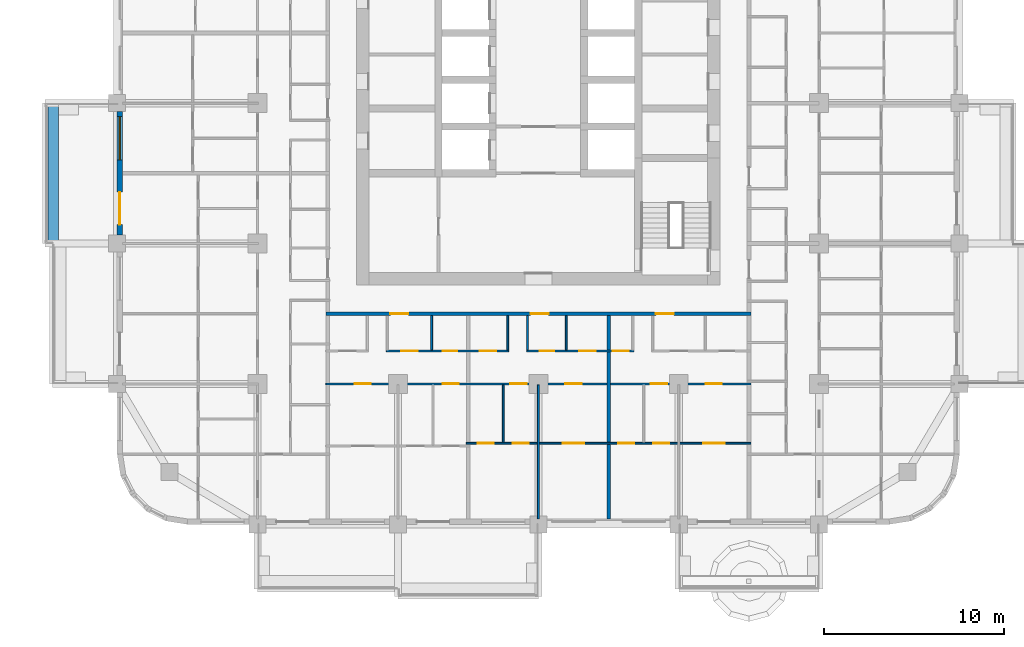
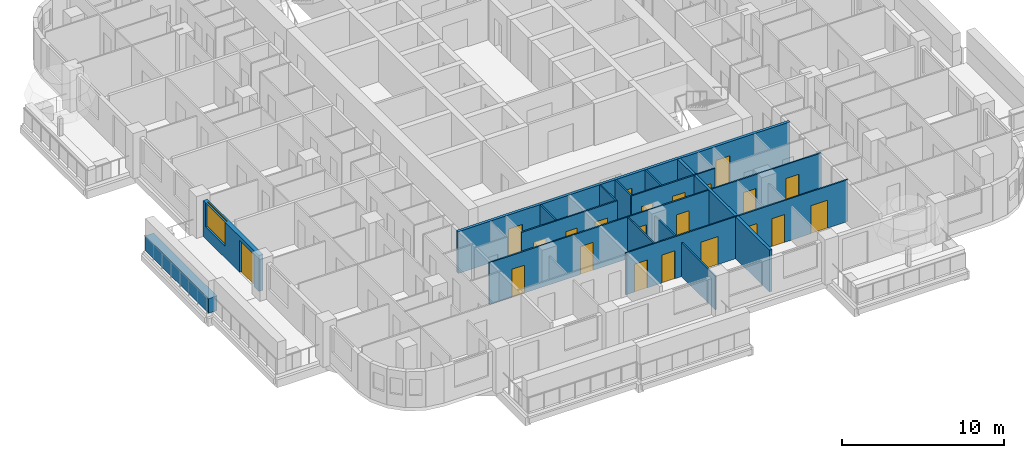
# One storey, part 4 of 19: 22 doors, 14 walls, 1 window, 23 openings.
"""IFC4 building model written with IfcOpenShell, lengths in metres."""

from ifc_helpers import new_model, si_unit, direction, frame, frame_2d, origin, place, context, subcontext, project, spatial, rectangle, extrude, material, layer, layer_set, type_object, element, fill, save


model = new_model("IFC4")

# Units and contexts
model_context = context("Model", 3, precision=1e-05, world=origin(), true_north=direction((0.0, 1.0)))
body_context = subcontext(model_context, "Body", "Model", "MODEL_VIEW")
ifc_project = project(units=[si_unit("LENGTHUNIT", "METRE"), si_unit("AREAUNIT", "SQUARE_METRE"), si_unit("VOLUMEUNIT", "CUBIC_METRE"), si_unit("PLANEANGLEUNIT", "RADIAN"), si_unit("MASSUNIT", "GRAM", prefix="KILO")], contexts=[model_context])

# Site, building, storey
site_placement = place(None, origin())
site = spatial("IfcSite", under=ifc_project, at=site_placement, CompositionType="ELEMENT")
building_placement = place(site_placement, origin())
building = spatial("IfcBuilding", under=site, at=building_placement, Name="Ludao Terraces", CompositionType="ELEMENT")
storey_placement = place(building_placement, frame((0.0, 0.0, 68.199951171875)))
storey = spatial("IfcBuildingStorey", under=building, at=storey_placement, Name="L18", CompositionType="ELEMENT", Elevation=68.199951171875)

# Wall
ifc_material_1 = material(Name="Concrete C40", Category="concrete")
ifc_layer_1 = layer(ifc_material_1, 0.60009765625)
ifc_layer_set_1 = layer_set([ifc_layer_1], Name="ENV Planter trough 600")
wall_type_1 = type_object("IfcWallType", Name="ENV Planter trough 600", PredefinedType="USERDEFINED", material=ifc_layer_set_1)
wall_1_placement = place(storey_placement, frame((58.050048828125, 57.199951171875, 0.0), z_axis=(0.0, 0.0, 1.0), x_axis=(0.0, 1.0, 0.0)))
element("IfcWall", 1, at=wall_1_placement, inside=storey, type_object=wall_type_1, Name="PL-L18-W2", ObjectType="PLANTER", PredefinedType="USERDEFINED", context=body_context, shape_type="SweptSolid", body=[
    extrude(rectangle(XDim=7.800048828125, YDim=0.60009765625, at=frame_2d((3.89990234375, 0.0))), origin(), (0.0, 0.0, 1.0), 1.10009765625),
])

# Wall, openings, door, window
ifc_material_2 = material(Name="Granite cladding", Category="masonry")
ifc_layer_2 = layer(ifc_material_2, 0.0400390625, Category="stone")
ifc_material_3 = material(Name="Mineral wool")
ifc_layer_3 = layer(ifc_material_3, 0.06005859375)
ifc_layer_4 = layer(ifc_material_1, 0.199951171875, Category="concrete")
ifc_layer_set_2 = layer_set([ifc_layer_2, ifc_layer_3, ifc_layer_4], Name="ENV Stone-clad wall 300")
wall_type_2 = type_object("IfcWallType", Name="ENV Stone-clad wall 300", PredefinedType="SOLIDWALL", material=ifc_layer_set_2)
wall_2_placement = place(storey_placement, frame((61.75, 57.675048828125, 0.0), z_axis=(0.0, 0.0, 1.0), x_axis=(0.0, 1.0, 0.0)))
wall_2 = element("IfcWall", 2, at=wall_2_placement, inside=storey, type_object=wall_type_2, Name="EW-L18-W3", PredefinedType="SOLIDWALL", context=body_context, shape_type="SweptSolid", body=[
    extrude(rectangle(XDim=6.849853515625, YDim=0.300048828125, at=frame_2d((3.4248046875, 0.0))), origin(), (0.0, 0.0, 1.0), 2.699951171875),
])
opening_1_placement = place(wall_2_placement, frame((0.574951171875, 0.0, 0.0)))
opening_1 = element("IfcOpeningElement", 3, at=opening_1_placement, cuts=wall_2, Name="Opening BD", PredefinedType="OPENING", context=body_context, shape_type="SweptSolid", body=[
    extrude(rectangle(XDim=1.800048828125, YDim=2.39990234375, at=frame_2d((0.89990234375, 1.199951171875))), frame((0.0, 0.16015625, 0.0), z_axis=(0.0, -1.0, 0.0), x_axis=(1.0, 0.0, 0.0)), (0.0, 0.0, 1.0), 0.320068359375),
])
opening_2_placement = place(wall_2_placement, frame((4.175048828125, 0.0, 0.89990234375)))
opening_2 = element("IfcOpeningElement", 4, at=opening_2_placement, cuts=wall_2, Name="Opening W1", PredefinedType="OPENING", context=body_context, shape_type="SweptSolid", body=[
    extrude(rectangle(XDim=2.39990234375, YDim=1.800048828125, at=frame_2d((1.199951171875, 0.89990234375))), frame((0.0, 0.16015625, 0.0), z_axis=(0.0, -1.0, 0.0), x_axis=(1.0, 0.0, 0.0)), (0.0, 0.0, 1.0), 0.320068359375),
])
ifc_material_4 = material(Name="Aluminium glazed door", Category="aluminium")
ifc_layer_5 = layer(ifc_material_4, 0.06005859375)
ifc_layer_set_3 = layer_set([ifc_layer_5], Name="ENV Balcony door BD 1800x2400")
door_type_1 = type_object("IfcDoorType", Name="ENV Balcony door BD 1800x2400", OperationType="DOUBLE_DOOR_SINGLE_SWING", PredefinedType="DOOR", material=ifc_layer_set_3)
door_1_placement = place(opening_1_placement, origin())
door_1 = element("IfcDoor", 5, at=door_1_placement, inside=storey, type_object=door_type_1, Name="BD-L18-W3-1", OperationType="DOUBLE_DOOR_SINGLE_SWING", OverallHeight=2.39990234375, OverallWidth=1.800048828125, PredefinedType="DOOR", context=body_context, shape_type="SweptSolid", body=[
    extrude(rectangle(XDim=1.800048828125, YDim=2.39990234375, at=frame_2d((0.89990234375, 1.199951171875))), frame((0.0, 0.02490234375, 0.0), z_axis=(0.0, -1.0, 0.0), x_axis=(1.0, 0.0, 0.0)), (0.0, 0.0, 1.0), 0.050048828125),
])
fill(opening_1, door_1)
ifc_material_5 = material(Name="Clear glass in aluminium frame", Category="aluminium")
ifc_layer_6 = layer(ifc_material_5, 0.06005859375)
ifc_layer_set_4 = layer_set([ifc_layer_6], Name="ENV Window W1 2400x1800")
window_type = type_object("IfcWindowType", Name="ENV Window W1 2400x1800", PartitioningType="DOUBLE_PANEL_VERTICAL", PredefinedType="WINDOW", material=ifc_layer_set_4)
window_placement = place(opening_2_placement, origin())
window = element("IfcWindow", 6, at=window_placement, inside=storey, type_object=window_type, Name="W-L18-W3-2", OverallHeight=1.800048828125, OverallWidth=2.39990234375, PartitioningType="DOUBLE_PANEL_VERTICAL", PredefinedType="WINDOW", context=body_context, shape_type="SweptSolid", body=[
    extrude(rectangle(XDim=2.39990234375, YDim=1.800048828125, at=frame_2d((1.199951171875, 0.89990234375))), frame((0.0, 0.030029296875, 0.0), z_axis=(0.0, -1.0, 0.0), x_axis=(1.0, 0.0, 0.0)), (0.0, 0.0, 1.0), 0.06005859375),
])
fill(opening_2, window)

# Wall, openings, doors
ifc_material_6 = material(Name="Autoclaved aerated concrete block B06 A3.5", Category="concrete")
ifc_layer_7 = layer(ifc_material_6, 0.199951171875)
ifc_layer_set_5 = layer_set([ifc_layer_7], Name="INT Entrance wall 200")
wall_type_3 = type_object("IfcWallType", Name="INT Entrance wall 200", PredefinedType="PARTITIONING", material=ifc_layer_set_5)
wall_3_placement = place(storey_placement, frame((73.2001953125, 53.300048828125, 0.0), z_axis=(0.0, 0.0, 1.0), x_axis=(1.0, 0.0, 0.0)))
wall_3 = element("IfcWall", 7, at=wall_3_placement, inside=storey, type_object=wall_type_3, Name="PW-L18-PW019", PredefinedType="PARTITIONING", context=body_context, shape_type="SweptSolid", body=[
    extrude(rectangle(XDim=23.599853515625, YDim=0.199951171875, at=frame_2d((11.7998046875, 0.0))), origin(), (0.0, 0.0, 1.0), 3.150146484375),
])
opening_3_placement = place(wall_3_placement, frame((3.574951171875, 0.0, 0.0)))
opening_3 = element("IfcOpeningElement", 8, at=opening_3_placement, cuts=wall_3, Name="Opening R05-048", PredefinedType="OPENING", context=body_context, shape_type="SweptSolid", body=[
    extrude(rectangle(XDim=1.0, YDim=2.10009765625, at=frame_2d((0.5, 1.050048828125))), frame((0.0, 0.10986328125, 0.0), z_axis=(0.0, -1.0, 0.0), x_axis=(1.0, 0.0, 0.0)), (0.0, 0.0, 1.0), 0.219970703125),
])
opening_4_placement = place(wall_3_placement, frame((11.375, 0.0, 0.0)))
opening_4 = element("IfcOpeningElement", 9, at=opening_4_placement, cuts=wall_3, Name="Opening R05-049", PredefinedType="OPENING", context=body_context, shape_type="SweptSolid", body=[
    extrude(rectangle(XDim=1.0, YDim=2.10009765625, at=frame_2d((0.5, 1.050048828125))), frame((0.0, 0.10986328125, 0.0), z_axis=(0.0, -1.0, 0.0), x_axis=(1.0, 0.0, 0.0)), (0.0, 0.0, 1.0), 0.219970703125),
])
opening_5_placement = place(wall_3_placement, frame((18.324951171875, 0.0, 0.0)))
opening_5 = element("IfcOpeningElement", 10, at=opening_5_placement, cuts=wall_3, Name="Opening R05-050", PredefinedType="OPENING", context=body_context, shape_type="SweptSolid", body=[
    extrude(rectangle(XDim=1.0, YDim=2.10009765625, at=frame_2d((0.5, 1.050048828125))), frame((0.0, 0.10986328125, 0.0), z_axis=(0.0, -1.0, 0.0), x_axis=(1.0, 0.0, 0.0)), (0.0, 0.0, 1.0), 0.219970703125),
])
ifc_material_7 = material(Name="Steel Q235", Category="steel")
door_type_2 = type_object("IfcDoorType", Name="INT Flat entrance door 1000", OperationType="SINGLE_SWING_LEFT", PredefinedType="DOOR", material=ifc_material_7)
door_2_placement = place(opening_3_placement, origin())
door_2 = element("IfcDoor", 11, at=door_2_placement, inside=storey, type_object=door_type_2, Name="DOOR 048", OperationType="SINGLE_SWING_LEFT", OverallHeight=2.10009765625, OverallWidth=1.0, PredefinedType="DOOR", context=body_context, shape_type="SweptSolid", body=[
    extrude(rectangle(XDim=1.0, YDim=2.10009765625, at=frame_2d((0.5, 1.050048828125))), frame((0.0, 0.02490234375, 0.0), z_axis=(0.0, -1.0, 0.0), x_axis=(1.0, 0.0, 0.0)), (0.0, 0.0, 1.0), 0.050048828125),
])
fill(opening_3, door_2)
door_3_placement = place(opening_4_placement, origin())
door_3 = element("IfcDoor", 12, at=door_3_placement, inside=storey, type_object=door_type_2, Name="DOOR 049", OperationType="SINGLE_SWING_LEFT", OverallHeight=2.10009765625, OverallWidth=1.0, PredefinedType="DOOR", context=body_context, shape_type="SweptSolid", body=[
    extrude(rectangle(XDim=1.0, YDim=2.10009765625, at=frame_2d((0.5, 1.050048828125))), frame((0.0, 0.02490234375, 0.0), z_axis=(0.0, -1.0, 0.0), x_axis=(1.0, 0.0, 0.0)), (0.0, 0.0, 1.0), 0.050048828125),
])
fill(opening_4, door_3)
door_4_placement = place(opening_5_placement, origin())
door_4 = element("IfcDoor", 13, at=door_4_placement, inside=storey, type_object=door_type_2, Name="DOOR 050", OperationType="SINGLE_SWING_LEFT", OverallHeight=2.10009765625, OverallWidth=1.0, PredefinedType="DOOR", context=body_context, shape_type="SweptSolid", body=[
    extrude(rectangle(XDim=1.0, YDim=2.10009765625, at=frame_2d((0.5, 1.050048828125))), frame((0.0, 0.02490234375, 0.0), z_axis=(0.0, -1.0, 0.0), x_axis=(1.0, 0.0, 0.0)), (0.0, 0.0, 1.0), 0.050048828125),
])
fill(opening_5, door_4)

ifc_material_8 = material(Name="Gypsum plasterboard", Category="gypsum")
ifc_layer_8 = layer(ifc_material_8, 0.012451171875, Category="gypsum")
ifc_layer_9 = layer(ifc_material_3, 0.06005859375, Name="insulation")
ifc_layer_10 = layer(ifc_material_7, 0.014892578125, Name="stud")
ifc_layer_11 = layer(ifc_material_8, 0.012451171875, Category="gypsum")
ifc_layer_set_6 = layer_set([ifc_layer_8, ifc_layer_9, ifc_layer_10, ifc_layer_11], Name="INT Partition 100")
wall_type_4 = type_object("IfcWallType", Name="INT Partition 100", PredefinedType="PARTITIONING", material=ifc_layer_set_6)
wall_4_placement = place(storey_placement, frame((81.0, 46.10009765625, 0.0), z_axis=(0.0, 0.0, 1.0), x_axis=(1.0, 0.0, 0.0)))
wall_4 = element("IfcWall", 14, at=wall_4_placement, inside=storey, type_object=wall_type_4, Name="PW-L18-PW003", PredefinedType="PARTITIONING", context=body_context, shape_type="SweptSolid", body=[
    extrude(rectangle(XDim=15.800048828125, YDim=0.10009765625, at=frame_2d((7.89990234375, 0.0))), origin(), (0.0, 0.0, 1.0), 3.150146484375),
])
opening_6_placement = place(wall_4_placement, frame((0.625, 0.0, 0.0)))
opening_6 = element("IfcOpeningElement", 15, at=opening_6_placement, cuts=wall_4, Name="Opening R05-010", PredefinedType="OPENING", context=body_context, shape_type="SweptSolid", body=[
    extrude(rectangle(XDim=0.89990234375, YDim=2.10009765625, at=frame_2d((0.449951171875, 1.050048828125))), frame((0.0, 0.06005859375, 0.0), z_axis=(0.0, -1.0, 0.0), x_axis=(1.0, 0.0, 0.0)), (0.0, 0.0, 1.0), 0.1201171875),
])
opening_7_placement = place(wall_4_placement, frame((2.5751953125, 0.0, 0.0)))
opening_7 = element("IfcOpeningElement", 16, at=opening_7_placement, cuts=wall_4, Name="Opening R05-011", PredefinedType="OPENING", context=body_context, shape_type="SweptSolid", body=[
    extrude(rectangle(XDim=0.89990234375, YDim=2.10009765625, at=frame_2d((0.449951171875, 1.050048828125))), frame((0.0, 0.06005859375, 0.0), z_axis=(0.0, -1.0, 0.0), x_axis=(1.0, 0.0, 0.0)), (0.0, 0.0, 1.0), 0.1201171875),
])
opening_8_placement = place(wall_4_placement, frame((5.35009765625, 0.0, 0.0)))
opening_8 = element("IfcOpeningElement", 17, at=opening_8_placement, cuts=wall_4, Name="Opening R05-012", PredefinedType="OPENING", context=body_context, shape_type="SweptSolid", body=[
    extrude(rectangle(XDim=1.199951171875, YDim=2.10009765625, at=frame_2d((0.60009765625, 1.050048828125))), frame((0.0, 0.06005859375, 0.0), z_axis=(0.0, -1.0, 0.0), x_axis=(1.0, 0.0, 0.0)), (0.0, 0.0, 1.0), 0.1201171875),
])
opening_9_placement = place(wall_4_placement, frame((8.425048828125, 0.0, 0.0)))
opening_9 = element("IfcOpeningElement", 18, at=opening_9_placement, cuts=wall_4, Name="Opening R05-013", PredefinedType="OPENING", context=body_context, shape_type="SweptSolid", body=[
    extrude(rectangle(XDim=0.89990234375, YDim=2.10009765625, at=frame_2d((0.449951171875, 1.050048828125))), frame((0.0, 0.06005859375, 0.0), z_axis=(0.0, -1.0, 0.0), x_axis=(1.0, 0.0, 0.0)), (0.0, 0.0, 1.0), 0.1201171875),
])
opening_10_placement = place(wall_4_placement, frame((10.375, 0.0, 0.0)))
opening_10 = element("IfcOpeningElement", 19, at=opening_10_placement, cuts=wall_4, Name="Opening R05-014", PredefinedType="OPENING", context=body_context, shape_type="SweptSolid", body=[
    extrude(rectangle(XDim=0.89990234375, YDim=2.10009765625, at=frame_2d((0.449951171875, 1.050048828125))), frame((0.0, 0.06005859375, 0.0), z_axis=(0.0, -1.0, 0.0), x_axis=(1.0, 0.0, 0.0)), (0.0, 0.0, 1.0), 0.1201171875),
])
opening_11_placement = place(wall_4_placement, frame((13.150146484375, 0.0, 0.0)))
opening_11 = element("IfcOpeningElement", 20, at=opening_11_placement, cuts=wall_4, Name="Opening R05-015", PredefinedType="OPENING", context=body_context, shape_type="SweptSolid", body=[
    extrude(rectangle(XDim=1.199951171875, YDim=2.10009765625, at=frame_2d((0.60009765625, 1.050048828125))), frame((0.0, 0.06005859375, 0.0), z_axis=(0.0, -1.0, 0.0), x_axis=(1.0, 0.0, 0.0)), (0.0, 0.0, 1.0), 0.1201171875),
])
ifc_material_9 = material(Name="Timber door leaf", Category="wood")
door_type_3 = type_object("IfcDoorType", Name="INT Bathroom door 900", OperationType="SINGLE_SWING_LEFT", PredefinedType="DOOR", material=ifc_material_9)
door_5_placement = place(opening_6_placement, origin())
door_5 = element("IfcDoor", 21, at=door_5_placement, inside=storey, type_object=door_type_3, Name="DOOR 010", OperationType="SINGLE_SWING_LEFT", OverallHeight=2.10009765625, OverallWidth=0.89990234375, PredefinedType="DOOR", context=body_context, shape_type="SweptSolid", body=[
    extrude(rectangle(XDim=0.89990234375, YDim=2.10009765625, at=frame_2d((0.449951171875, 1.050048828125))), frame((0.0, 0.02490234375, 0.0), z_axis=(0.0, -1.0, 0.0), x_axis=(1.0, 0.0, 0.0)), (0.0, 0.0, 1.0), 0.050048828125),
])
fill(opening_6, door_5)
door_6_placement = place(opening_9_placement, origin())
door_6 = element("IfcDoor", 22, at=door_6_placement, inside=storey, type_object=door_type_3, Name="DOOR 013", OperationType="SINGLE_SWING_LEFT", OverallHeight=2.10009765625, OverallWidth=0.89990234375, PredefinedType="DOOR", context=body_context, shape_type="SweptSolid", body=[
    extrude(rectangle(XDim=0.89990234375, YDim=2.10009765625, at=frame_2d((0.449951171875, 1.050048828125))), frame((0.0, 0.02490234375, 0.0), z_axis=(0.0, -1.0, 0.0), x_axis=(1.0, 0.0, 0.0)), (0.0, 0.0, 1.0), 0.050048828125),
])
fill(opening_9, door_6)
door_type_4 = type_object("IfcDoorType", Name="INT Double door 1200", OperationType="DOUBLE_DOOR_SINGLE_SWING", PredefinedType="DOOR", material=ifc_material_9)
door_7_placement = place(opening_8_placement, origin())
door_7 = element("IfcDoor", 23, at=door_7_placement, inside=storey, type_object=door_type_4, Name="DOOR 012", OperationType="DOUBLE_DOOR_SINGLE_SWING", OverallHeight=2.10009765625, OverallWidth=1.199951171875, PredefinedType="DOOR", context=body_context, shape_type="SweptSolid", body=[
    extrude(rectangle(XDim=1.199951171875, YDim=2.10009765625, at=frame_2d((0.60009765625, 1.050048828125))), frame((0.0, 0.02490234375, 0.0), z_axis=(0.0, -1.0, 0.0), x_axis=(1.0, 0.0, 0.0)), (0.0, 0.0, 1.0), 0.050048828125),
])
fill(opening_8, door_7)
door_8_placement = place(opening_11_placement, origin())
door_8 = element("IfcDoor", 24, at=door_8_placement, inside=storey, type_object=door_type_4, Name="DOOR 015", OperationType="DOUBLE_DOOR_SINGLE_SWING", OverallHeight=2.10009765625, OverallWidth=1.199951171875, PredefinedType="DOOR", context=body_context, shape_type="SweptSolid", body=[
    extrude(rectangle(XDim=1.199951171875, YDim=2.10009765625, at=frame_2d((0.60009765625, 1.050048828125))), frame((0.0, 0.02490234375, 0.0), z_axis=(0.0, -1.0, 0.0), x_axis=(1.0, 0.0, 0.0)), (0.0, 0.0, 1.0), 0.050048828125),
])
fill(opening_11, door_8)
door_type_5 = type_object("IfcDoorType", Name="INT Room door 900", OperationType="SINGLE_SWING_LEFT", PredefinedType="DOOR", material=ifc_material_9)
door_9_placement = place(opening_7_placement, origin())
door_9 = element("IfcDoor", 25, at=door_9_placement, inside=storey, type_object=door_type_5, Name="DOOR 011", OperationType="SINGLE_SWING_LEFT", OverallHeight=2.10009765625, OverallWidth=0.89990234375, PredefinedType="DOOR", context=body_context, shape_type="SweptSolid", body=[
    extrude(rectangle(XDim=0.89990234375, YDim=2.10009765625, at=frame_2d((0.449951171875, 1.050048828125))), frame((0.0, 0.02490234375, 0.0), z_axis=(0.0, -1.0, 0.0), x_axis=(1.0, 0.0, 0.0)), (0.0, 0.0, 1.0), 0.050048828125),
])
fill(opening_7, door_9)
door_10_placement = place(opening_10_placement, origin())
door_10 = element("IfcDoor", 26, at=door_10_placement, inside=storey, type_object=door_type_5, Name="DOOR 014", OperationType="SINGLE_SWING_RIGHT", OverallHeight=2.10009765625, OverallWidth=0.89990234375, PredefinedType="DOOR", context=body_context, shape_type="SweptSolid", body=[
    extrude(rectangle(XDim=0.89990234375, YDim=2.10009765625, at=frame_2d((0.449951171875, 1.050048828125))), frame((0.0, 0.02490234375, 0.0), z_axis=(0.0, -1.0, 0.0), x_axis=(1.0, 0.0, 0.0)), (0.0, 0.0, 1.0), 0.050048828125),
])
fill(opening_10, door_10)

wall_5_placement = place(storey_placement, frame((73.2001953125, 49.39990234375, 0.0), z_axis=(0.0, 0.0, 1.0), x_axis=(1.0, 0.0, 0.0)))
wall_5 = element("IfcWall", 27, at=wall_5_placement, inside=storey, type_object=wall_type_4, Name="PW-L18-PW008", PredefinedType="PARTITIONING", context=body_context, shape_type="SweptSolid", body=[
    extrude(rectangle(XDim=23.599853515625, YDim=0.10009765625, at=frame_2d((11.7998046875, 0.0))), origin(), (0.0, 0.0, 1.0), 3.150146484375),
])
opening_12_placement = place(wall_5_placement, frame((1.599853515625, 0.0, 0.0)))
opening_12 = element("IfcOpeningElement", 28, at=opening_12_placement, cuts=wall_5, Name="Opening R05-024", PredefinedType="OPENING", context=body_context, shape_type="SweptSolid", body=[
    extrude(rectangle(XDim=0.89990234375, YDim=2.10009765625, at=frame_2d((0.449951171875, 1.050048828125))), frame((0.0, 0.06005859375, 0.0), z_axis=(0.0, -1.0, 0.0), x_axis=(1.0, 0.0, 0.0)), (0.0, 0.0, 1.0), 0.1201171875),
])
opening_13_placement = place(wall_5_placement, frame((6.474853515625, 0.0, 0.0)))
opening_13 = element("IfcOpeningElement", 29, at=opening_13_placement, cuts=wall_5, Name="Opening R05-025", PredefinedType="OPENING", context=body_context, shape_type="SweptSolid", body=[
    extrude(rectangle(XDim=0.89990234375, YDim=2.10009765625, at=frame_2d((0.449951171875, 1.050048828125))), frame((0.0, 0.06005859375, 0.0), z_axis=(0.0, -1.0, 0.0), x_axis=(1.0, 0.0, 0.0)), (0.0, 0.0, 1.0), 0.1201171875),
])
opening_14_placement = place(wall_5_placement, frame((10.25, 0.0, 0.0)))
opening_14 = element("IfcOpeningElement", 30, at=opening_14_placement, cuts=wall_5, Name="Opening R05-026", PredefinedType="OPENING", context=body_context, shape_type="SweptSolid", body=[
    extrude(rectangle(XDim=0.89990234375, YDim=2.10009765625, at=frame_2d((0.449951171875, 1.050048828125))), frame((0.0, 0.06005859375, 0.0), z_axis=(0.0, -1.0, 0.0), x_axis=(1.0, 0.0, 0.0)), (0.0, 0.0, 1.0), 0.1201171875),
])
opening_15_placement = place(wall_5_placement, frame((13.2998046875, 0.0, 0.0)))
opening_15 = element("IfcOpeningElement", 31, at=opening_15_placement, cuts=wall_5, Name="Opening R05-027", PredefinedType="OPENING", context=body_context, shape_type="SweptSolid", body=[
    extrude(rectangle(XDim=0.89990234375, YDim=2.10009765625, at=frame_2d((0.449951171875, 1.050048828125))), frame((0.0, 0.06005859375, 0.0), z_axis=(0.0, -1.0, 0.0), x_axis=(1.0, 0.0, 0.0)), (0.0, 0.0, 1.0), 0.1201171875),
])
opening_16_placement = place(wall_5_placement, frame((18.0498046875, 0.0, 0.0)))
opening_16 = element("IfcOpeningElement", 32, at=opening_16_placement, cuts=wall_5, Name="Opening R05-028", PredefinedType="OPENING", context=body_context, shape_type="SweptSolid", body=[
    extrude(rectangle(XDim=0.89990234375, YDim=2.10009765625, at=frame_2d((0.449951171875, 1.050048828125))), frame((0.0, 0.06005859375, 0.0), z_axis=(0.0, -1.0, 0.0), x_axis=(1.0, 0.0, 0.0)), (0.0, 0.0, 1.0), 0.1201171875),
])
opening_17_placement = place(wall_5_placement, frame((21.099853515625, 0.0, 0.0)))
opening_17 = element("IfcOpeningElement", 33, at=opening_17_placement, cuts=wall_5, Name="Opening R05-029", PredefinedType="OPENING", context=body_context, shape_type="SweptSolid", body=[
    extrude(rectangle(XDim=0.89990234375, YDim=2.10009765625, at=frame_2d((0.449951171875, 1.050048828125))), frame((0.0, 0.06005859375, 0.0), z_axis=(0.0, -1.0, 0.0), x_axis=(1.0, 0.0, 0.0)), (0.0, 0.0, 1.0), 0.1201171875),
])
door_11_placement = place(opening_12_placement, origin())
door_11 = element("IfcDoor", 34, at=door_11_placement, inside=storey, type_object=door_type_5, Name="DOOR 024", OperationType="SINGLE_SWING_LEFT", OverallHeight=2.10009765625, OverallWidth=0.89990234375, PredefinedType="DOOR", context=body_context, shape_type="SweptSolid", body=[
    extrude(rectangle(XDim=0.89990234375, YDim=2.10009765625, at=frame_2d((0.449951171875, 1.050048828125))), frame((0.0, 0.02490234375, 0.0), z_axis=(0.0, -1.0, 0.0), x_axis=(1.0, 0.0, 0.0)), (0.0, 0.0, 1.0), 0.050048828125),
])
fill(opening_12, door_11)
door_12_placement = place(opening_13_placement, origin())
door_12 = element("IfcDoor", 35, at=door_12_placement, inside=storey, type_object=door_type_5, Name="DOOR 025", OperationType="SINGLE_SWING_RIGHT", OverallHeight=2.10009765625, OverallWidth=0.89990234375, PredefinedType="DOOR", context=body_context, shape_type="SweptSolid", body=[
    extrude(rectangle(XDim=0.89990234375, YDim=2.10009765625, at=frame_2d((0.449951171875, 1.050048828125))), frame((0.0, 0.02490234375, 0.0), z_axis=(0.0, -1.0, 0.0), x_axis=(1.0, 0.0, 0.0)), (0.0, 0.0, 1.0), 0.050048828125),
])
fill(opening_13, door_12)
door_13_placement = place(opening_14_placement, origin())
door_13 = element("IfcDoor", 36, at=door_13_placement, inside=storey, type_object=door_type_5, Name="DOOR 026", OperationType="SINGLE_SWING_RIGHT", OverallHeight=2.10009765625, OverallWidth=0.89990234375, PredefinedType="DOOR", context=body_context, shape_type="SweptSolid", body=[
    extrude(rectangle(XDim=0.89990234375, YDim=2.10009765625, at=frame_2d((0.449951171875, 1.050048828125))), frame((0.0, 0.02490234375, 0.0), z_axis=(0.0, -1.0, 0.0), x_axis=(1.0, 0.0, 0.0)), (0.0, 0.0, 1.0), 0.050048828125),
])
fill(opening_14, door_13)
door_14_placement = place(opening_15_placement, origin())
door_14 = element("IfcDoor", 37, at=door_14_placement, inside=storey, type_object=door_type_5, Name="DOOR 027", OperationType="SINGLE_SWING_LEFT", OverallHeight=2.10009765625, OverallWidth=0.89990234375, PredefinedType="DOOR", context=body_context, shape_type="SweptSolid", body=[
    extrude(rectangle(XDim=0.89990234375, YDim=2.10009765625, at=frame_2d((0.449951171875, 1.050048828125))), frame((0.0, 0.02490234375, 0.0), z_axis=(0.0, -1.0, 0.0), x_axis=(1.0, 0.0, 0.0)), (0.0, 0.0, 1.0), 0.050048828125),
])
fill(opening_15, door_14)
door_15_placement = place(opening_16_placement, origin())
door_15 = element("IfcDoor", 38, at=door_15_placement, inside=storey, type_object=door_type_5, Name="DOOR 028", OperationType="SINGLE_SWING_RIGHT", OverallHeight=2.10009765625, OverallWidth=0.89990234375, PredefinedType="DOOR", context=body_context, shape_type="SweptSolid", body=[
    extrude(rectangle(XDim=0.89990234375, YDim=2.10009765625, at=frame_2d((0.449951171875, 1.050048828125))), frame((0.0, 0.02490234375, 0.0), z_axis=(0.0, -1.0, 0.0), x_axis=(1.0, 0.0, 0.0)), (0.0, 0.0, 1.0), 0.050048828125),
])
fill(opening_16, door_15)
door_16_placement = place(opening_17_placement, origin())
door_16 = element("IfcDoor", 39, at=door_16_placement, inside=storey, type_object=door_type_5, Name="DOOR 029", OperationType="SINGLE_SWING_RIGHT", OverallHeight=2.10009765625, OverallWidth=0.89990234375, PredefinedType="DOOR", context=body_context, shape_type="SweptSolid", body=[
    extrude(rectangle(XDim=0.89990234375, YDim=2.10009765625, at=frame_2d((0.449951171875, 1.050048828125))), frame((0.0, 0.02490234375, 0.0), z_axis=(0.0, -1.0, 0.0), x_axis=(1.0, 0.0, 0.0)), (0.0, 0.0, 1.0), 0.050048828125),
])
fill(opening_17, door_16)

wall_6_placement = place(storey_placement, frame((76.550048828125, 51.22998046875, 0.0), z_axis=(0.0, 0.0, 1.0), x_axis=(1.0, 0.0, 0.0)))
wall_6 = element("IfcWall", 40, at=wall_6_placement, inside=storey, type_object=wall_type_4, Name="PW-L18-PW012", PredefinedType="PARTITIONING", context=body_context, shape_type="SweptSolid", body=[
    extrude(rectangle(XDim=6.800048828125, YDim=0.10009765625, at=frame_2d((3.39990234375, 0.0))), origin(), (0.0, 0.0, 1.0), 3.150146484375),
])
opening_18_placement = place(wall_6_placement, frame((0.8349609375, 0.0, 0.0)))
opening_18 = element("IfcOpeningElement", 41, at=opening_18_placement, cuts=wall_6, Name="Opening R05-034", PredefinedType="OPENING", context=body_context, shape_type="SweptSolid", body=[
    extrude(rectangle(XDim=0.89990234375, YDim=2.10009765625, at=frame_2d((0.449951171875, 1.050048828125))), frame((0.0, 0.06005859375, 0.0), z_axis=(0.0, -1.0, 0.0), x_axis=(1.0, 0.0, 0.0)), (0.0, 0.0, 1.0), 0.1201171875),
])
opening_19_placement = place(wall_6_placement, frame((3.135009765625, 0.0, 0.0)))
opening_19 = element("IfcOpeningElement", 42, at=opening_19_placement, cuts=wall_6, Name="Opening R05-035", PredefinedType="OPENING", context=body_context, shape_type="SweptSolid", body=[
    extrude(rectangle(XDim=0.800048828125, YDim=2.10009765625, at=frame_2d((0.39990234375, 1.050048828125))), frame((0.0, 0.06005859375, 0.0), z_axis=(0.0, -1.0, 0.0), x_axis=(1.0, 0.0, 0.0)), (0.0, 0.0, 1.0), 0.1201171875),
])
opening_20_placement = place(wall_6_placement, frame((5.199951171875, 0.0, 0.0)))
opening_20 = element("IfcOpeningElement", 43, at=opening_20_placement, cuts=wall_6, Name="Opening R05-036", PredefinedType="OPENING", context=body_context, shape_type="SweptSolid", body=[
    extrude(rectangle(XDim=0.89990234375, YDim=2.10009765625, at=frame_2d((0.449951171875, 1.050048828125))), frame((0.0, 0.06005859375, 0.0), z_axis=(0.0, -1.0, 0.0), x_axis=(1.0, 0.0, 0.0)), (0.0, 0.0, 1.0), 0.1201171875),
])
door_17_placement = place(opening_18_placement, origin())
door_17 = element("IfcDoor", 44, at=door_17_placement, inside=storey, type_object=door_type_5, Name="DOOR 034", OperationType="SINGLE_SWING_LEFT", OverallHeight=2.10009765625, OverallWidth=0.89990234375, PredefinedType="DOOR", context=body_context, shape_type="SweptSolid", body=[
    extrude(rectangle(XDim=0.89990234375, YDim=2.10009765625, at=frame_2d((0.449951171875, 1.050048828125))), frame((0.0, 0.02490234375, 0.0), z_axis=(0.0, -1.0, 0.0), x_axis=(1.0, 0.0, 0.0)), (0.0, 0.0, 1.0), 0.050048828125),
])
fill(opening_18, door_17)
door_18_placement = place(opening_20_placement, origin())
door_18 = element("IfcDoor", 45, at=door_18_placement, inside=storey, type_object=door_type_5, Name="DOOR 036", OperationType="SINGLE_SWING_LEFT", OverallHeight=2.10009765625, OverallWidth=0.89990234375, PredefinedType="DOOR", context=body_context, shape_type="SweptSolid", body=[
    extrude(rectangle(XDim=0.89990234375, YDim=2.10009765625, at=frame_2d((0.449951171875, 1.050048828125))), frame((0.0, 0.02490234375, 0.0), z_axis=(0.0, -1.0, 0.0), x_axis=(1.0, 0.0, 0.0)), (0.0, 0.0, 1.0), 0.050048828125),
])
fill(opening_20, door_18)
door_type_6 = type_object("IfcDoorType", Name="INT Store door 800", OperationType="SINGLE_SWING_LEFT", PredefinedType="DOOR", material=ifc_material_9)
door_19_placement = place(opening_19_placement, origin())
door_19 = element("IfcDoor", 46, at=door_19_placement, inside=storey, type_object=door_type_6, Name="DOOR 035", OperationType="SINGLE_SWING_RIGHT", OverallHeight=2.10009765625, OverallWidth=0.800048828125, PredefinedType="DOOR", context=body_context, shape_type="SweptSolid", body=[
    extrude(rectangle(XDim=0.800048828125, YDim=2.10009765625, at=frame_2d((0.39990234375, 1.050048828125))), frame((0.0, 0.02490234375, 0.0), z_axis=(0.0, -1.0, 0.0), x_axis=(1.0, 0.0, 0.0)), (0.0, 0.0, 1.0), 0.050048828125),
])
fill(opening_19, door_19)

wall_7_placement = place(storey_placement, frame((84.35009765625, 51.22998046875, 0.0), z_axis=(0.0, 0.0, 1.0), x_axis=(1.0, 0.0, 0.0)))
wall_7 = element("IfcWall", 47, at=wall_7_placement, inside=storey, type_object=wall_type_4, Name="PW-L18-PW013", PredefinedType="PARTITIONING", context=body_context, shape_type="SweptSolid", body=[
    extrude(rectangle(XDim=5.949951171875, YDim=0.10009765625, at=frame_2d((2.97509765625, 0.0))), origin(), (0.0, 0.0, 1.0), 3.150146484375),
])
opening_21_placement = place(wall_7_placement, frame((0.72509765625, 0.0, 0.0)))
opening_21 = element("IfcOpeningElement", 48, at=opening_21_placement, cuts=wall_7, Name="Opening R05-037", PredefinedType="OPENING", context=body_context, shape_type="SweptSolid", body=[
    extrude(rectangle(XDim=0.800048828125, YDim=2.10009765625, at=frame_2d((0.39990234375, 1.050048828125))), frame((0.0, 0.06005859375, 0.0), z_axis=(0.0, -1.0, 0.0), x_axis=(1.0, 0.0, 0.0)), (0.0, 0.0, 1.0), 0.1201171875),
])
opening_22_placement = place(wall_7_placement, frame((2.925048828125, 0.0, 0.0)))
opening_22 = element("IfcOpeningElement", 49, at=opening_22_placement, cuts=wall_7, Name="Opening R05-038", PredefinedType="OPENING", context=body_context, shape_type="SweptSolid", body=[
    extrude(rectangle(XDim=0.89990234375, YDim=2.10009765625, at=frame_2d((0.449951171875, 1.050048828125))), frame((0.0, 0.06005859375, 0.0), z_axis=(0.0, -1.0, 0.0), x_axis=(1.0, 0.0, 0.0)), (0.0, 0.0, 1.0), 0.1201171875),
])
opening_23_placement = place(wall_7_placement, frame((4.77490234375, 0.0, 0.0)))
opening_23 = element("IfcOpeningElement", 50, at=opening_23_placement, cuts=wall_7, Name="Opening R05-039", PredefinedType="OPENING", context=body_context, shape_type="SweptSolid", body=[
    extrude(rectangle(XDim=0.89990234375, YDim=2.10009765625, at=frame_2d((0.449951171875, 1.050048828125))), frame((0.0, 0.06005859375, 0.0), z_axis=(0.0, -1.0, 0.0), x_axis=(1.0, 0.0, 0.0)), (0.0, 0.0, 1.0), 0.1201171875),
])
door_20_placement = place(opening_22_placement, origin())
door_20 = element("IfcDoor", 51, at=door_20_placement, inside=storey, type_object=door_type_3, Name="DOOR 038", OperationType="SINGLE_SWING_RIGHT", OverallHeight=2.10009765625, OverallWidth=0.89990234375, PredefinedType="DOOR", context=body_context, shape_type="SweptSolid", body=[
    extrude(rectangle(XDim=0.89990234375, YDim=2.10009765625, at=frame_2d((0.449951171875, 1.050048828125))), frame((0.0, 0.02490234375, 0.0), z_axis=(0.0, -1.0, 0.0), x_axis=(1.0, 0.0, 0.0)), (0.0, 0.0, 1.0), 0.050048828125),
])
fill(opening_22, door_20)
door_21_placement = place(opening_23_placement, origin())
door_21 = element("IfcDoor", 52, at=door_21_placement, inside=storey, type_object=door_type_3, Name="DOOR 039", OperationType="SINGLE_SWING_LEFT", OverallHeight=2.10009765625, OverallWidth=0.89990234375, PredefinedType="DOOR", context=body_context, shape_type="SweptSolid", body=[
    extrude(rectangle(XDim=0.89990234375, YDim=2.10009765625, at=frame_2d((0.449951171875, 1.050048828125))), frame((0.0, 0.02490234375, 0.0), z_axis=(0.0, -1.0, 0.0), x_axis=(1.0, 0.0, 0.0)), (0.0, 0.0, 1.0), 0.050048828125),
])
fill(opening_23, door_21)
door_22_placement = place(opening_21_placement, origin())
door_22 = element("IfcDoor", 53, at=door_22_placement, inside=storey, type_object=door_type_6, Name="DOOR 037", OperationType="SINGLE_SWING_RIGHT", OverallHeight=2.10009765625, OverallWidth=0.800048828125, PredefinedType="DOOR", context=body_context, shape_type="SweptSolid", body=[
    extrude(rectangle(XDim=0.800048828125, YDim=2.10009765625, at=frame_2d((0.39990234375, 1.050048828125))), frame((0.0, 0.02490234375, 0.0), z_axis=(0.0, -1.0, 0.0), x_axis=(1.0, 0.0, 0.0)), (0.0, 0.0, 1.0), 0.050048828125),
])
fill(opening_21, door_22)

# Walls
wall_8_placement = place(storey_placement, frame((79.070068359375, 51.280029296875, 0.0), z_axis=(0.0, 0.0, 1.0), x_axis=(0.0, 1.0, 0.0)))
element("IfcWall", 54, at=wall_8_placement, inside=storey, type_object=wall_type_4, Name="PW-L18-PW098", PredefinedType="PARTITIONING", context=body_context, shape_type="SweptSolid", body=[
    extrude(rectangle(XDim=1.920166015625, YDim=0.10009765625, at=frame_2d((0.9599609375, 0.0))), origin(), (0.0, 0.0, 1.0), 3.150146484375),
])
wall_9_placement = place(storey_placement, frame((83.050048828125, 46.150146484375, 0.0), z_axis=(0.0, 0.0, 1.0), x_axis=(0.0, 1.0, 0.0)))
element("IfcWall", 55, at=wall_9_placement, inside=storey, type_object=wall_type_4, Name="PW-L18-PW103", PredefinedType="PARTITIONING", context=body_context, shape_type="SweptSolid", body=[
    extrude(rectangle(XDim=3.199951171875, YDim=0.10009765625, at=frame_2d((1.60009765625, 0.0))), origin(), (0.0, 0.0, 1.0), 3.150146484375),
])
for number, where, z_axis, x_axis, name in (
    (56, (83.300048828125, 51.280029296875, 0.0), (0.0, 0.0, 1.0), (0.0, 1.0, 0.0), "PW-L18-PW104"),
    (57, (84.39990234375, 51.280029296875, 0.0), (0.0, 0.0, 1.0), (0.0, 1.0, 0.0), "PW-L18-PW105"),
):
    element("IfcWall", number, at=place(storey_placement, frame(where, z_axis=z_axis, x_axis=x_axis)), inside=storey, type_object=wall_type_4, Name=name, PredefinedType="PARTITIONING", context=body_context, shape_type="SweptSolid", body=[
        extrude(rectangle(XDim=1.920166015625, YDim=0.10009765625, at=frame_2d((0.9599609375, 0.0))), origin(), (0.0, 0.0, 1.0), 3.150146484375),
    ])
wall_10_placement = place(storey_placement, frame((85.0, 41.900146484375, 0.0), z_axis=(0.0, 0.0, 1.0), x_axis=(0.0, 1.0, 0.0)))
element("IfcWall", 58, at=wall_10_placement, inside=storey, type_object=wall_type_4, Name="PW-L18-PW106", PredefinedType="PARTITIONING", context=body_context, shape_type="SweptSolid", body=[
    extrude(rectangle(XDim=7.449951171875, YDim=0.10009765625, at=frame_2d((3.72509765625, 0.0))), origin(), (0.0, 0.0, 1.0), 2.550048828125),
])
wall_11_placement = place(storey_placement, frame((86.550048828125, 51.280029296875, 0.0), z_axis=(0.0, 0.0, 1.0), x_axis=(0.0, 1.0, 0.0)))
element("IfcWall", 59, at=wall_11_placement, inside=storey, type_object=wall_type_4, Name="PW-L18-PW108", PredefinedType="PARTITIONING", context=body_context, shape_type="SweptSolid", body=[
    extrude(rectangle(XDim=1.920166015625, YDim=0.10009765625, at=frame_2d((0.9599609375, 0.0))), origin(), (0.0, 0.0, 1.0), 3.150146484375),
])
ifc_layer_12 = layer(ifc_material_6, 0.199951171875)
ifc_layer_set_7 = layer_set([ifc_layer_12], Name="INT Party wall 200")
wall_type_5 = type_object("IfcWallType", Name="INT Party wall 200", PredefinedType="PARTITIONING", material=ifc_layer_set_7)
wall_12_placement = place(storey_placement, frame((88.89990234375, 41.900146484375, 0.0), z_axis=(0.0, 0.0, 1.0), x_axis=(0.0, 1.0, 0.0)))
element("IfcWall", 60, at=wall_12_placement, inside=storey, type_object=wall_type_5, Name="PW-L18-PW109", PredefinedType="PARTITIONING", context=body_context, shape_type="SweptSolid", body=[
    extrude(rectangle(XDim=11.300048828125, YDim=0.199951171875, at=frame_2d((5.64990234375, 0.0))), origin(), (0.0, 0.0, 1.0), 3.150146484375),
])

save(model, "model.ifc")
